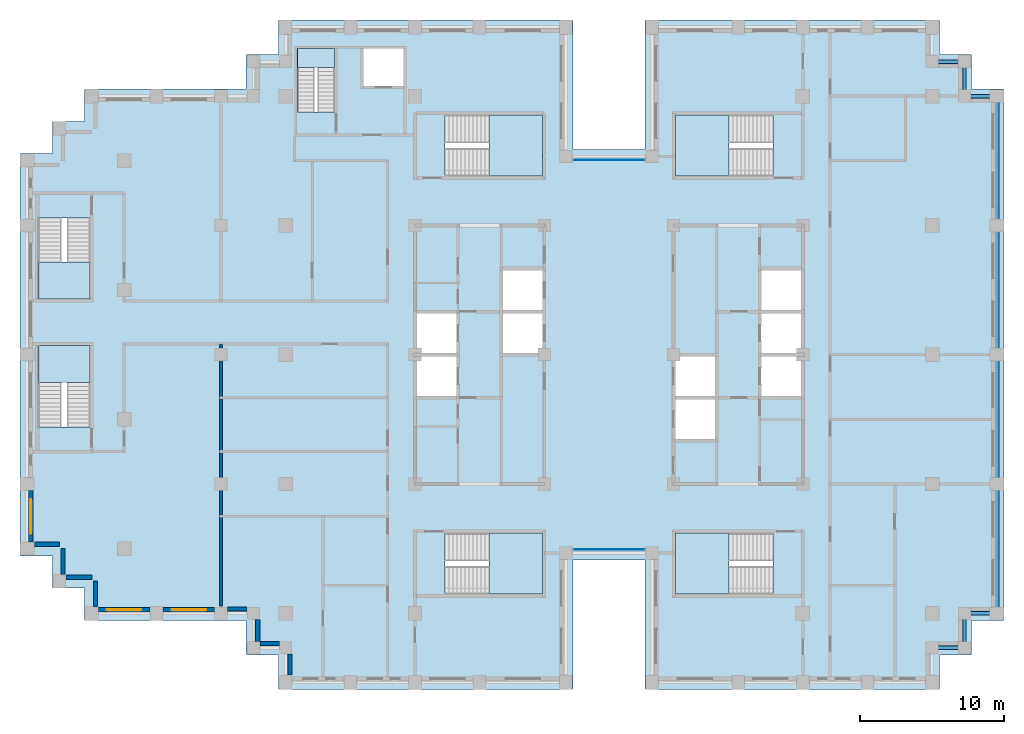
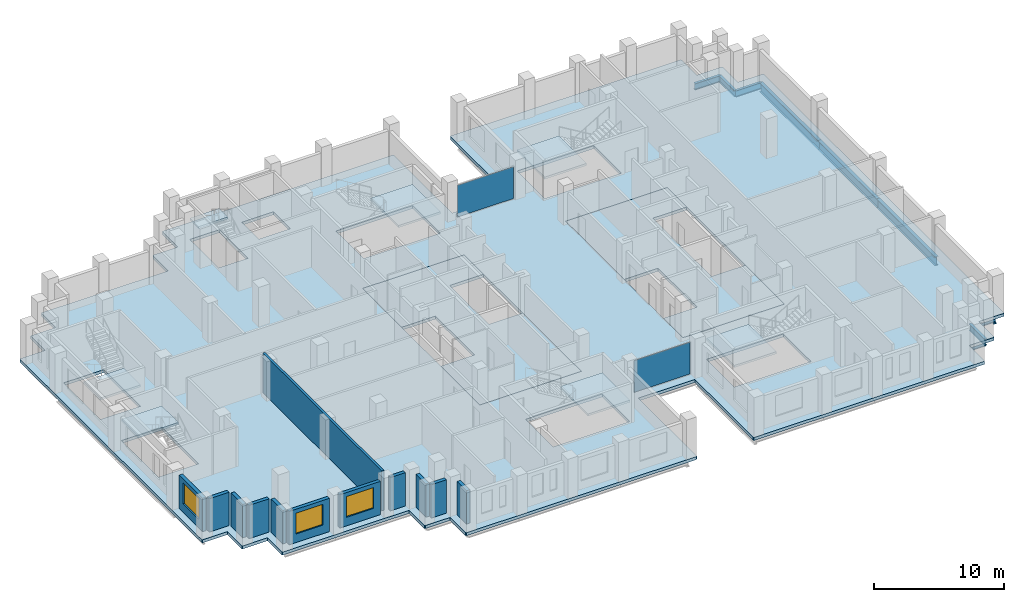
# One storey, part 5 of 15: 12 walls, 10 beams, 10 slabs, 3 windows, 2 plates, 3 openings, 9 elements without a shape of their own.
"""IFC4 building model written with IfcOpenShell, lengths in metres."""

from ifc_helpers import new_model, si_unit, direction, frame, frame_2d, origin, origin_2d, place, context, subcontext, project, spatial, polyline, rectangle, i_section, outline, extrude, material, layer, layer_set, material_profile, profile_set, type_object, element, fill, aggregate, save


model = new_model("IFC4")

# Units and contexts
model_context = context("Model", 3, precision=1e-05, world=origin(), true_north=direction((0.0, 1.0)))
body_context = subcontext(model_context, "Body", "Model", "MODEL_VIEW")
ifc_project = project(units=[si_unit("LENGTHUNIT", "METRE"), si_unit("AREAUNIT", "SQUARE_METRE"), si_unit("VOLUMEUNIT", "CUBIC_METRE"), si_unit("PLANEANGLEUNIT", "RADIAN"), si_unit("MASSUNIT", "GRAM", prefix="KILO")], contexts=[model_context])

# Site, building, storey
site_placement = place(None, origin())
site = spatial("IfcSite", under=ifc_project, at=site_placement, CompositionType="ELEMENT")
building_placement = place(site_placement, origin())
building = spatial("IfcBuilding", under=site, at=building_placement, Name="Corbelhall Arena Tower", CompositionType="ELEMENT")
storey_placement = place(building_placement, frame((0.0, 0.0, 216.0)))
storey = spatial("IfcBuildingStorey", under=building, at=storey_placement, Name="L45", CompositionType="ELEMENT", Elevation=216.0)

# Beams
ifc_material_1 = material(Name="Steel ASTM A992 Gr50", Category="steel")
ifc_material_profile_1 = material_profile(ifc_material_1, i_section(OverallWidth=0.228271484375, OverallDepth=0.607177734375, WebThickness=0.01123046875, FlangeThickness=0.017333984375, at=origin_2d()))
ifc_profile_set_1 = profile_set([ifc_material_profile_1], Name="Steel ASTM A992 Gr50")
beam_type_1 = type_object("IfcBeamType", Name="ST-SPANDREL-W24x76", PredefinedType="SPANDREL", material=ifc_profile_set_1)
for number, where, z_axis, x_axis, name in (
    (1, (27.0, -18.0, -0.58349609375), (-1.0, 0.0, 0.0), (0.0, -1.0, 0.0), "Beam SP 12"),
    (2, (22.5, 20.39990234375, -0.58349609375), (1.0, 0.0, 0.0), (0.0, 1.0, 0.0), "Beam SP 39"),
):
    element("IfcBeam", number, at=place(storey_placement, frame(where, z_axis=z_axis, x_axis=x_axis)), inside=storey, type_object=beam_type_1, Name=name, PredefinedType="SPANDREL", context=body_context, shape_type="SweptSolid", body=[
        extrude(i_section(OverallWidth=0.228271484375, OverallDepth=0.607177734375, WebThickness=0.01123046875, FlangeThickness=0.017333984375, at=origin_2d()), origin(), (0.0, 0.0, 1.0), 2.25),
    ])
beam_1_placement = place(storey_placement, frame((24.75, 20.39990234375, -0.58349609375), z_axis=(0.0, -1.0, 0.0), x_axis=(1.0, 0.0, 0.0)))
element("IfcBeam", 3, at=beam_1_placement, inside=storey, type_object=beam_type_1, Name="Beam SP 40", PredefinedType="SPANDREL", context=body_context, shape_type="SweptSolid", body=[
    extrude(i_section(OverallWidth=0.228271484375, OverallDepth=0.607177734375, WebThickness=0.01123046875, FlangeThickness=0.017333984375, at=origin_2d()), origin(), (0.0, 0.0, 1.0), 2.39990234375),
])
for number, where, z_axis, x_axis, name in (
    (4, (24.75, 18.0, -0.58349609375), (1.0, 0.0, 0.0), (0.0, 1.0, 0.0), "Beam SP 41"),
    (5, (24.75, -20.39990234375, -0.58349609375), (-1.0, 0.0, 0.0), (0.0, -1.0, 0.0), "Beam SP 46"),
):
    element("IfcBeam", number, at=place(storey_placement, frame(where, z_axis=z_axis, x_axis=x_axis)), inside=storey, type_object=beam_type_1, Name=name, PredefinedType="SPANDREL", context=body_context, shape_type="SweptSolid", body=[
        extrude(i_section(OverallWidth=0.228271484375, OverallDepth=0.607177734375, WebThickness=0.01123046875, FlangeThickness=0.017333984375, at=origin_2d()), origin(), (0.0, 0.0, 1.0), 2.25),
    ])
beam_2_placement = place(storey_placement, frame((24.75, -18.0, -0.58349609375), z_axis=(0.0, -1.0, 0.0), x_axis=(1.0, 0.0, 0.0)))
element("IfcBeam", 6, at=beam_2_placement, inside=storey, type_object=beam_type_1, Name="Beam SP 47", PredefinedType="SPANDREL", context=body_context, shape_type="SweptSolid", body=[
    extrude(i_section(OverallWidth=0.228271484375, OverallDepth=0.607177734375, WebThickness=0.01123046875, FlangeThickness=0.017333984375, at=origin_2d()), origin(), (0.0, 0.0, 1.0), 2.39990234375),
])
ifc_material_profile_2 = material_profile(ifc_material_1, i_section(OverallWidth=0.2919921875, OverallDepth=0.845703125, WebThickness=0.015380859375, FlangeThickness=0.0244140625, at=origin_2d()))
ifc_profile_set_2 = profile_set([ifc_material_profile_2], Name="Steel ASTM A992 Gr50")
beam_type_2 = type_object("IfcBeamType", Name="ST-SPANDREL-W33x141", PredefinedType="SPANDREL", material=ifc_profile_set_2)
for number, where, z_axis, x_axis, name in (
    (7, (27.0, 0.0, -0.702880859375), (0.0, -1.0, 0.0), (1.0, 0.0, 0.0), "Beam SP 8"),
    (8, (27.0, 9.0, -0.702880859375), (0.0, -1.0, 0.0), (1.0, 0.0, 0.0), "Beam SP 9"),
    (9, (27.0, 18.0, -0.702880859375), (0.0, -1.0, 0.0), (1.0, 0.0, 0.0), "Beam SP 10"),
    (10, (27.0, -9.0, -0.702880859375), (0.0, -1.0, 0.0), (1.0, 0.0, 0.0), "Beam SP 11"),
):
    element("IfcBeam", number, at=place(storey_placement, frame(where, z_axis=z_axis, x_axis=x_axis)), inside=storey, type_object=beam_type_2, Name=name, PredefinedType="SPANDREL", context=body_context, shape_type="SweptSolid", body=[
        extrude(i_section(OverallWidth=0.2919921875, OverallDepth=0.845703125, WebThickness=0.015380859375, FlangeThickness=0.0244140625, at=origin_2d()), origin(), (0.0, 0.0, 1.0), 9.0),
    ])

# Curtain wall, plate
ifc_material_2 = material(Name="Aluminium black anodised", Category="aluminium")
ifc_layer_1 = layer(ifc_material_2, 0.199951171875)
ifc_layer_set_1 = layer_set([ifc_layer_1], Name="EV-CW1 Slot back wall")
curtain_wall_type = type_object("IfcCurtainWallType", Name="EV-CW1 Slot back wall", PredefinedType="NOTDEFINED", material=ifc_layer_set_1)
curtain_wall_1_placement = place(storey_placement, origin())
curtain_wall_1 = element("IfcCurtainWall", 11, at=curtain_wall_1_placement, inside=storey, type_object=curtain_wall_type, Name="Curtain wall CW1", PredefinedType="NOTDEFINED")
ifc_material_3 = material(Name="Glass dark tinted laminated", Category="glass")
ifc_layer_2 = layer(ifc_material_3, 0.028076171875)
ifc_layer_set_2 = layer_set([ifc_layer_2], Name="EV-CW1-PANEL")
plate_type = type_object("IfcPlateType", Name="EV-CW1-PANEL", PredefinedType="CURTAIN_PANEL", material=ifc_layer_set_2)
plate_1_placement = place(storey_placement, frame((0.0, -13.550048828125, 0.0751953125), z_axis=(0.0, 0.0, 1.0), x_axis=(1.0, 0.0, 0.0)))
plate_1 = element("IfcPlate", 12, at=plate_1_placement, type_object=plate_type, Name="CW1 panel 1.1", PredefinedType="CURTAIN_PANEL", context=body_context, shape_type="SweptSolid", body=[
    extrude(rectangle(XDim=4.949951171875, YDim=0.028076171875, at=origin_2d()), origin(), (0.0, 0.0, 1.0), 2.969970703125),
])
aggregate(curtain_wall_1, [plate_1])

curtain_wall_2_placement = place(storey_placement, origin())
curtain_wall_2 = element("IfcCurtainWall", 13, at=curtain_wall_2_placement, inside=storey, type_object=curtain_wall_type, Name="Curtain wall CW1", PredefinedType="NOTDEFINED")
plate_2_placement = place(storey_placement, frame((0.0, 13.550048828125, 0.0751953125), z_axis=(0.0, 0.0, 1.0), x_axis=(-1.0, 0.0, 0.0)))
plate_2 = element("IfcPlate", 14, at=plate_2_placement, type_object=plate_type, Name="CW1 panel 1.1", PredefinedType="CURTAIN_PANEL", context=body_context, shape_type="SweptSolid", body=[
    extrude(rectangle(XDim=4.949951171875, YDim=0.028076171875, at=origin_2d()), origin(), (0.0, 0.0, 1.0), 2.969970703125),
])
aggregate(curtain_wall_2, [plate_2])

# Slabs
ifc_material_4 = material(Name="Concrete C40/50", Category="concrete")
ifc_layer_3 = layer(ifc_material_4, 0.300048828125)
ifc_layer_set_3 = layer_set([ifc_layer_3], Name="IN-SL-CORE")
slab_type_1 = type_object("IfcSlabType", Name="IN-SL-CORE", PredefinedType="FLOOR", material=ifc_layer_set_3)
slab_1_placement = place(storey_placement, frame((0.0, 0.0, -0.280029296875)))
element("IfcSlab", 15, at=slab_1_placement, inside=storey, type_object=slab_type_1, Name="Core floor W", PredefinedType="FLOOR", context=body_context, shape_type="SweptSolid", body=[
    extrude(outline(polyline([(-10.5, -3.0), (-13.5, -3.0), (-13.5, -9.0), (-4.5, -9.0), (-4.5, 0.0), (-7.5, 0.0), (-7.5, 3.0), (-7.5, 6.0), (-4.5, 6.0), (-4.5, 9.0), (-13.5, 9.0), (-13.5, 3.0), (-10.5, 3.0), (-10.5, 0.0), (-10.5, -3.0)])), origin(), (0.0, 0.0, 1.0), 0.280029296875),
])
slab_2_placement = place(storey_placement, frame((0.0, 0.0, -0.280029296875)))
element("IfcSlab", 16, at=slab_2_placement, inside=storey, type_object=slab_type_1, Name="Core floor E", PredefinedType="FLOOR", context=body_context, shape_type="SweptSolid", body=[
    extrude(outline(polyline([(13.5, -3.0), (10.5, -3.0), (10.5, 0.0), (10.5, 3.0), (10.5, 6.0), (13.5, 6.0), (13.5, 9.0), (4.5, 9.0), (4.5, 0.0), (7.5, 0.0), (7.5, -3.0), (7.5, -6.0), (4.5, -6.0), (4.5, -9.0), (13.5, -9.0), (13.5, -3.0)])), origin(), (0.0, 0.0, 1.0), 0.280029296875),
])

# Stair, slab
stair_type = type_object("IfcStairType", Name="IN-ST-TOWER", PredefinedType="HALF_TURN_STAIR", material=ifc_material_4)
stair_1_placement = place(storey_placement, origin())
stair_1 = element("IfcStair", 17, at=stair_1_placement, inside=storey, type_object=stair_type, Name="L45 Exit stair ST1", PredefinedType="HALF_TURN_STAIR")
ifc_layer_4 = layer(ifc_material_4, 0.199951171875)
ifc_layer_set_4 = layer_set([ifc_layer_4], Name="IN-SL-LANDING")
slab_type_2 = type_object("IfcSlabType", Name="IN-SL-LANDING", PredefinedType="LANDING", material=ifc_layer_set_4)
slab_3_placement = place(storey_placement, frame((0.0, 0.0, 1.800048828125)))
slab_3 = element("IfcSlab", 18, at=slab_3_placement, type_object=slab_type_2, Name="ST1 landing 1", PredefinedType="LANDING", context=body_context, shape_type="SweptSolid", body=[
    extrude(outline(polyline([(-8.344970703125, 12.425048828125), (-4.625, 12.425048828125), (-4.625, 16.675048828125), (-8.344970703125, 16.675048828125), (-8.344970703125, 12.425048828125)])), origin(), (0.0, 0.0, 1.0), 0.199951171875),
])
aggregate(stair_1, [slab_3])

stair_2_placement = place(storey_placement, origin())
stair_2 = element("IfcStair", 19, at=stair_2_placement, inside=storey, type_object=stair_type, Name="L45 Exit stair ST2", PredefinedType="HALF_TURN_STAIR")
slab_4_placement = place(storey_placement, frame((0.0, 0.0, 1.800048828125)))
slab_4 = element("IfcSlab", 20, at=slab_4_placement, type_object=slab_type_2, Name="ST2 landing 1", PredefinedType="LANDING", context=body_context, shape_type="SweptSolid", body=[
    extrude(outline(polyline([(-8.344970703125, -16.675048828125), (-4.625, -16.675048828125), (-4.625, -12.425048828125), (-8.344970703125, -12.425048828125), (-8.344970703125, -16.675048828125)])), origin(), (0.0, 0.0, 1.0), 0.199951171875),
])
aggregate(stair_2, [slab_4])

stair_3_placement = place(storey_placement, origin())
stair_3 = element("IfcStair", 21, at=stair_3_placement, inside=storey, type_object=stair_type, Name="L45 Exit stair ST3", PredefinedType="HALF_TURN_STAIR")
slab_5_placement = place(storey_placement, frame((0.0, 0.0, 1.800048828125)))
slab_5 = element("IfcSlab", 22, at=slab_5_placement, type_object=slab_type_2, Name="ST3 landing 1", PredefinedType="LANDING", context=body_context, shape_type="SweptSolid", body=[
    extrude(outline(polyline([(8.344970703125, 16.675048828125), (4.625, 16.675048828125), (4.625, 12.425048828125), (8.344970703125, 12.425048828125), (8.344970703125, 16.675048828125)])), origin(), (0.0, 0.0, 1.0), 0.199951171875),
])
aggregate(stair_3, [slab_5])

stair_4_placement = place(storey_placement, origin())
stair_4 = element("IfcStair", 23, at=stair_4_placement, inside=storey, type_object=stair_type, Name="L45 Exit stair ST4", PredefinedType="HALF_TURN_STAIR")
slab_6_placement = place(storey_placement, frame((0.0, 0.0, 1.800048828125)))
slab_6 = element("IfcSlab", 24, at=slab_6_placement, type_object=slab_type_2, Name="ST4 landing 1", PredefinedType="LANDING", context=body_context, shape_type="SweptSolid", body=[
    extrude(outline(polyline([(8.344970703125, -12.425048828125), (4.625, -12.425048828125), (4.625, -16.675048828125), (8.344970703125, -16.675048828125), (8.344970703125, -12.425048828125)])), origin(), (0.0, 0.0, 1.0), 0.199951171875),
])
aggregate(stair_4, [slab_6])

stair_5_placement = place(storey_placement, origin())
stair_5 = element("IfcStair", 25, at=stair_5_placement, inside=storey, type_object=stair_type, Name="L45 Exit stair SC1", PredefinedType="HALF_TURN_STAIR")
slab_7_placement = place(storey_placement, frame((0.0, 0.0, 1.800048828125)))
slab_7 = element("IfcSlab", 26, at=slab_7_placement, type_object=slab_type_2, Name="SC1 landing 1", PredefinedType="LANDING", context=body_context, shape_type="SweptSolid", body=[
    extrude(outline(polyline([(-39.699951171875, 6.445068359375), (-39.699951171875, 3.875), (-36.125, 3.875), (-36.125, 6.445068359375), (-39.699951171875, 6.445068359375)])), origin(), (0.0, 0.0, 1.0), 0.199951171875),
])
aggregate(stair_5, [slab_7])

stair_6_placement = place(storey_placement, origin())
stair_6 = element("IfcStair", 27, at=stair_6_placement, inside=storey, type_object=stair_type, Name="L45 Exit stair SC2", PredefinedType="HALF_TURN_STAIR")
slab_8_placement = place(storey_placement, frame((0.0, 0.0, 1.800048828125)))
slab_8 = element("IfcSlab", 28, at=slab_8_placement, type_object=slab_type_2, Name="SC2 landing 1", PredefinedType="LANDING", context=body_context, shape_type="SweptSolid", body=[
    extrude(outline(polyline([(-36.125, -1.945068359375), (-36.125, 0.625), (-39.699951171875, 0.625), (-39.699951171875, -1.945068359375), (-36.125, -1.945068359375)])), origin(), (0.0, 0.0, 1.0), 0.199951171875),
])
aggregate(stair_6, [slab_8])

stair_7_placement = place(storey_placement, origin())
stair_7 = element("IfcStair", 29, at=stair_7_placement, inside=storey, type_object=stair_type, Name="L45 Exit stair ST5", PredefinedType="HALF_TURN_STAIR")
slab_9_placement = place(storey_placement, frame((0.0, 0.0, 1.800048828125)))
slab_9 = element("IfcSlab", 30, at=slab_9_placement, type_object=slab_type_2, Name="ST5 landing 1", PredefinedType="LANDING", context=body_context, shape_type="SweptSolid", body=[
    extrude(outline(polyline([(-19.094970703125, 19.97998046875), (-19.094970703125, 21.300048828125), (-21.695068359375, 21.300048828125), (-21.695068359375, 19.97998046875), (-19.094970703125, 19.97998046875)])), origin(), (0.0, 0.0, 1.0), 0.199951171875),
])
aggregate(stair_7, [slab_9])

# Slab
ifc_layer_5 = layer(ifc_material_4, 0.280029296875)
ifc_layer_set_5 = layer_set([ifc_layer_5], Name="ST-SLAB-FLOOR-280")
slab_type_3 = type_object("IfcSlabType", Name="ST-SLAB-FLOOR-280", PredefinedType="FLOOR", material=ifc_layer_set_5)
slab_10_placement = place(storey_placement, frame((0.0, 0.0, -0.280029296875)))
element("IfcSlab", 31, at=slab_10_placement, inside=storey, type_object=slab_type_3, Name="Floor slab L45 1", PredefinedType="FLOOR", context=body_context, shape_type="SweptSolid", body=[
    extrude(outline(polyline([(23.0, 23.25), (22.949951171875, 23.300048828125), (2.550048828125, 23.300048828125), (2.5, 23.25), (2.5, 14.300048828125), (-2.5, 14.300048828125), (-2.5, 23.25), (-2.550048828125, 23.300048828125), (-22.949951171875, 23.300048828125), (-23.0, 23.25), (-23.0, 20.89990234375), (-25.199951171875, 20.89990234375), (-25.25, 20.85009765625), (-25.25, 18.5), (-36.449951171875, 18.5), (-36.5, 18.449951171875), (-36.5, 16.25), (-38.699951171875, 16.25), (-38.75, 16.199951171875), (-38.75, 14.0), (-40.949951171875, 14.0), (-41.0, 13.949951171875), (-41.0, -13.949951171875), (-40.949951171875, -14.0), (-38.75, -14.0), (-38.75, -16.199951171875), (-38.699951171875, -16.25), (-36.5, -16.25), (-36.5, -18.449951171875), (-36.449951171875, -18.5), (-25.25, -18.5), (-25.25, -20.85009765625), (-25.199951171875, -20.89990234375), (-23.0, -20.89990234375), (-23.0, -23.25), (-22.949951171875, -23.300048828125), (-2.550048828125, -23.300048828125), (-2.5, -23.25), (-2.5, -14.300048828125), (2.5, -14.300048828125), (2.5, -23.25), (2.550048828125, -23.300048828125), (22.949951171875, -23.300048828125), (23.0, -23.25), (23.0, -20.89990234375), (25.199951171875, -20.89990234375), (25.25, -20.85009765625), (25.25, -18.5), (27.449951171875, -18.5), (27.5, -18.449951171875), (27.5, 18.449951171875), (27.449951171875, 18.5), (25.25, 18.5), (25.25, 20.85009765625), (25.199951171875, 20.89990234375), (23.0, 20.89990234375), (23.0, 23.25)]), holes=[polyline([(-4.5, -9.0), (-4.5, 9.0), (-13.5, 9.0), (-13.5, -9.0), (-4.5, -9.0)]), polyline([(13.5, -9.0), (13.5, 9.0), (4.5, 9.0), (4.5, -9.0), (13.5, -9.0)]), polyline([(-11.422119140625, 12.425048828125), (-4.625, 12.425048828125), (-4.625, 16.675048828125), (-11.422119140625, 16.675048828125), (-11.422119140625, 12.425048828125)]), polyline([(-11.422119140625, -12.425048828125), (-11.422119140625, -16.675048828125), (-4.625, -16.675048828125), (-4.625, -12.425048828125), (-11.422119140625, -12.425048828125)]), polyline([(4.625, 12.425048828125), (11.422119140625, 12.425048828125), (11.422119140625, 16.675048828125), (4.625, 16.675048828125), (4.625, 12.425048828125)]), polyline([(4.625, -12.425048828125), (4.625, -16.675048828125), (11.422119140625, -16.675048828125), (11.422119140625, -12.425048828125), (4.625, -12.425048828125)]), polyline([(-39.699951171875, 9.52197265625), (-39.699951171875, 3.875), (-36.125, 3.875), (-36.125, 9.52197265625), (-39.699951171875, 9.52197265625)]), polyline([(-39.699951171875, -5.02197265625), (-36.125, -5.02197265625), (-36.125, 0.625), (-39.699951171875, 0.625), (-39.699951171875, -5.02197265625)]), polyline([(-21.695068359375, 21.300048828125), (-21.695068359375, 16.903076171875), (-19.094970703125, 16.903076171875), (-19.094970703125, 21.300048828125), (-21.695068359375, 21.300048828125)]), polyline([(-14.300048828125, 21.300048828125), (-17.10009765625, 21.300048828125), (-17.10009765625, 18.699951171875), (-14.300048828125, 18.699951171875), (-14.300048828125, 21.300048828125)])]), origin(), (0.0, 0.0, 1.0), 0.280029296875),
])

# Walls
ifc_material_5 = material(Name="Precast concrete C40/50 with granite facing", Category="masonry")
ifc_layer_6 = layer(ifc_material_5, 0.300048828125)
ifc_layer_set_6 = layer_set([ifc_layer_6], Name="EV-IW1 Infill panel 300")
wall_type_1 = type_object("IfcWallType", Name="EV-IW1 Infill panel 300", PredefinedType="SOLIDWALL", material=ifc_layer_set_6)
wall_1_placement = place(storey_placement, frame((-40.0, -13.199951171875, 0.0), z_axis=(0.0, 0.0, 1.0), x_axis=(1.0, 0.0, 0.0)))
element("IfcWall", 32, at=wall_1_placement, inside=storey, type_object=wall_type_1, Name="Infill panel IW1", PredefinedType="SOLIDWALL", context=body_context, shape_type="SweptSolid", body=[
    extrude(rectangle(XDim=1.75, YDim=0.300048828125, at=frame_2d((0.875, 0.0))), origin(), (0.0, 0.0, 1.0), 3.1201171875),
])
for number, where, z_axis, x_axis, name in (
    (33, (-38.0, -15.300048828125, 0.0), (0.0, 0.0, 1.0), (0.0, 1.0, 0.0), "Infill panel IW1"),
    (34, (-37.800048828125, -15.5, 0.0), (0.0, 0.0, 1.0), (1.0, 0.0, 0.0), "Infill panel IW1"),
    (35, (-35.75, -17.550048828125, 0.0), (0.0, 0.0, 1.0), (0.0, 1.0, 0.0), "Infill panel IW1"),
):
    element("IfcWall", number, at=place(storey_placement, frame(where, z_axis=z_axis, x_axis=x_axis)), inside=storey, type_object=wall_type_1, Name=name, PredefinedType="SOLIDWALL", context=body_context, shape_type="SweptSolid", body=[
        extrude(rectangle(XDim=1.800048828125, YDim=0.300048828125, at=frame_2d((0.89990234375, 0.0))), origin(), (0.0, 0.0, 1.0), 3.1201171875),
    ])

# Wall, opening, window
wall_2_placement = place(storey_placement, frame((-40.25, -9.449951171875, 0.0), z_axis=(0.0, 0.0, 1.0), x_axis=(0.0, -1.0, 0.0)))
wall_2 = element("IfcWall", 36, at=wall_2_placement, inside=storey, type_object=wall_type_1, Name="Infill panel IW1", PredefinedType="SOLIDWALL", context=body_context, shape_type="SweptSolid", body=[
    extrude(rectangle(XDim=3.60009765625, YDim=0.300048828125, at=frame_2d((1.800048828125, 0.0))), origin(), (0.0, 0.0, 1.0), 3.1201171875),
])
opening_1_placement = place(wall_2_placement, frame((0.60009765625, 0.0, 0.800048828125)))
opening_1 = element("IfcOpeningElement", 37, at=opening_1_placement, cuts=wall_2, Name="Opening WN1", PredefinedType="OPENING", context=body_context, shape_type="SweptSolid", body=[
    extrude(rectangle(XDim=2.39990234375, YDim=1.949951171875, at=frame_2d((1.199951171875, 0.97509765625))), frame((0.0, 0.14990234375, 0.0), z_axis=(0.0, -1.0, 0.0), x_axis=(1.0, 0.0, 0.0)), (0.0, 0.0, 1.0), 0.300048828125),
])
window_type = type_object("IfcWindowType", Name="EV-WN1 Office window", PartitioningType="SINGLE_PANEL", PredefinedType="WINDOW", material=ifc_material_2)
window_1_placement = place(opening_1_placement, origin())
window_1 = element("IfcWindow", 38, at=window_1_placement, inside=storey, type_object=window_type, Name="Window WN1", OverallHeight=1.949951171875, OverallWidth=2.39990234375, PartitioningType="SINGLE_PANEL", PredefinedType="WINDOW", context=body_context, shape_type="SweptSolid", body=[
    extrude(rectangle(XDim=2.39990234375, YDim=1.949951171875, at=frame_2d((1.199951171875, 0.97509765625))), frame((0.0, 0.030029296875, 0.0), z_axis=(0.0, -1.0, 0.0), x_axis=(1.0, 0.0, 0.0)), (0.0, 0.0, 1.0), 0.06005859375),
])
fill(opening_1, window_1)

wall_3_placement = place(storey_placement, frame((-35.550048828125, -17.75, 0.0), z_axis=(0.0, 0.0, 1.0), x_axis=(1.0, 0.0, 0.0)))
wall_3 = element("IfcWall", 39, at=wall_3_placement, inside=storey, type_object=wall_type_1, Name="Infill panel IW1", PredefinedType="SOLIDWALL", context=body_context, shape_type="SweptSolid", body=[
    extrude(rectangle(XDim=3.60009765625, YDim=0.300048828125, at=frame_2d((1.800048828125, 0.0))), origin(), (0.0, 0.0, 1.0), 3.1201171875),
])
opening_2_placement = place(wall_3_placement, frame((0.60009765625, 0.0, 0.800048828125)))
opening_2 = element("IfcOpeningElement", 40, at=opening_2_placement, cuts=wall_3, Name="Opening WN1", PredefinedType="OPENING", context=body_context, shape_type="SweptSolid", body=[
    extrude(rectangle(XDim=2.39990234375, YDim=1.949951171875, at=frame_2d((1.199951171875, 0.97509765625))), frame((0.0, 0.14990234375, 0.0), z_axis=(0.0, -1.0, 0.0), x_axis=(1.0, 0.0, 0.0)), (0.0, 0.0, 1.0), 0.300048828125),
])
window_2_placement = place(opening_2_placement, origin())
window_2 = element("IfcWindow", 41, at=window_2_placement, inside=storey, type_object=window_type, Name="Window WN1", OverallHeight=1.949951171875, OverallWidth=2.39990234375, PartitioningType="SINGLE_PANEL", PredefinedType="WINDOW", context=body_context, shape_type="SweptSolid", body=[
    extrude(rectangle(XDim=2.39990234375, YDim=1.949951171875, at=frame_2d((1.199951171875, 0.97509765625))), frame((0.0, 0.030029296875, 0.0), z_axis=(0.0, -1.0, 0.0), x_axis=(1.0, 0.0, 0.0)), (0.0, 0.0, 1.0), 0.06005859375),
])
fill(opening_2, window_2)

wall_4_placement = place(storey_placement, frame((-31.050048828125, -17.75, 0.0), z_axis=(0.0, 0.0, 1.0), x_axis=(1.0, 0.0, 0.0)))
wall_4 = element("IfcWall", 42, at=wall_4_placement, inside=storey, type_object=wall_type_1, Name="Infill panel IW1", PredefinedType="SOLIDWALL", context=body_context, shape_type="SweptSolid", body=[
    extrude(rectangle(XDim=3.60009765625, YDim=0.300048828125, at=frame_2d((1.800048828125, 0.0))), origin(), (0.0, 0.0, 1.0), 3.1201171875),
])
opening_3_placement = place(wall_4_placement, frame((0.60009765625, 0.0, 0.800048828125)))
opening_3 = element("IfcOpeningElement", 43, at=opening_3_placement, cuts=wall_4, Name="Opening WN1", PredefinedType="OPENING", context=body_context, shape_type="SweptSolid", body=[
    extrude(rectangle(XDim=2.39990234375, YDim=1.949951171875, at=frame_2d((1.199951171875, 0.97509765625))), frame((0.0, 0.14990234375, 0.0), z_axis=(0.0, -1.0, 0.0), x_axis=(1.0, 0.0, 0.0)), (0.0, 0.0, 1.0), 0.300048828125),
])
window_3_placement = place(opening_3_placement, origin())
window_3 = element("IfcWindow", 44, at=window_3_placement, inside=storey, type_object=window_type, Name="Window WN1", OverallHeight=1.949951171875, OverallWidth=2.39990234375, PartitioningType="SINGLE_PANEL", PredefinedType="WINDOW", context=body_context, shape_type="SweptSolid", body=[
    extrude(rectangle(XDim=2.39990234375, YDim=1.949951171875, at=frame_2d((1.199951171875, 0.97509765625))), frame((0.0, 0.030029296875, 0.0), z_axis=(0.0, -1.0, 0.0), x_axis=(1.0, 0.0, 0.0)), (0.0, 0.0, 1.0), 0.06005859375),
])
fill(opening_3, window_3)

# Walls
wall_5_placement = place(storey_placement, frame((-26.550048828125, -17.699951171875, 0.0), z_axis=(0.0, 0.0, 1.0), x_axis=(1.0, 0.0, 0.0)))
element("IfcWall", 45, at=wall_5_placement, inside=storey, type_object=wall_type_1, Name="Infill panel IW1", PredefinedType="SOLIDWALL", context=body_context, shape_type="SweptSolid", body=[
    extrude(rectangle(XDim=1.35009765625, YDim=0.300048828125, at=frame_2d((0.675048828125, 0.0))), origin(), (0.0, 0.0, 1.0), 3.1201171875),
])
wall_6_placement = place(storey_placement, frame((-24.449951171875, -18.449951171875, 0.0), z_axis=(0.0, 0.0, 1.0), x_axis=(0.0, -1.0, 0.0)))
element("IfcWall", 46, at=wall_6_placement, inside=storey, type_object=wall_type_1, Name="Infill panel IW1", PredefinedType="SOLIDWALL", context=body_context, shape_type="SweptSolid", body=[
    extrude(rectangle(XDim=1.5, YDim=0.300048828125, at=frame_2d((0.75, 0.0))), origin(), (0.0, 0.0, 1.0), 3.1201171875),
])
wall_7_placement = place(storey_placement, frame((-24.300048828125, -20.10009765625, 0.0), z_axis=(0.0, 0.0, 1.0), x_axis=(1.0, 0.0, 0.0)))
element("IfcWall", 47, at=wall_7_placement, inside=storey, type_object=wall_type_1, Name="Infill panel IW1", PredefinedType="SOLIDWALL", context=body_context, shape_type="SweptSolid", body=[
    extrude(rectangle(XDim=1.35009765625, YDim=0.300048828125, at=frame_2d((0.675048828125, 0.0))), origin(), (0.0, 0.0, 1.0), 3.1201171875),
])
wall_8_placement = place(storey_placement, frame((-22.199951171875, -20.85009765625, 0.0), z_axis=(0.0, 0.0, 1.0), x_axis=(0.0, -1.0, 0.0)))
element("IfcWall", 48, at=wall_8_placement, inside=storey, type_object=wall_type_1, Name="Infill panel IW1", PredefinedType="SOLIDWALL", context=body_context, shape_type="SweptSolid", body=[
    extrude(rectangle(XDim=1.449951171875, YDim=0.300048828125, at=frame_2d((0.72509765625, 0.0))), origin(), (0.0, 0.0, 1.0), 3.1201171875),
])
ifc_material_6 = material(Name="Gypsum board on steel stud, acoustic", Category="steel")
ifc_layer_7 = layer(ifc_material_6, 0.199951171875)
ifc_layer_set_7 = layer_set([ifc_layer_7], Name="IN-W-DM200")
wall_type_2 = type_object("IfcWallType", Name="IN-W-DM200", PredefinedType="PARTITIONING", material=ifc_layer_set_7)
wall_9_placement = place(storey_placement, frame((-27.0, -17.5, 0.0), z_axis=(0.0, 0.0, 1.0), x_axis=(0.0, 1.0, 0.0)))
element("IfcWall", 49, at=wall_9_placement, inside=storey, type_object=wall_type_2, Name="Partition 009", PredefinedType="PARTITIONING", context=body_context, shape_type="SweptSolid", body=[
    extrude(rectangle(XDim=18.25, YDim=0.199951171875, at=frame_2d((9.125, 0.0))), origin(), (0.0, 0.0, 1.0), 3.719970703125),
])

save(model, "model.ifc")
